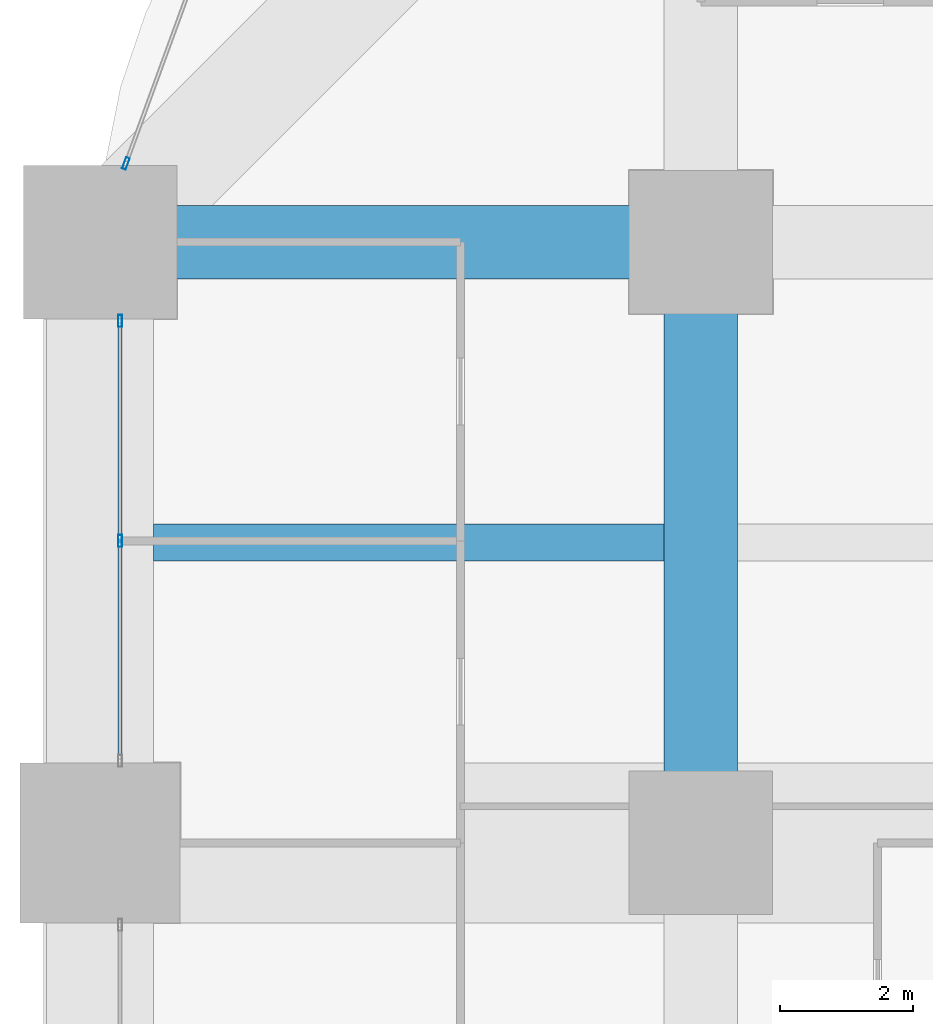
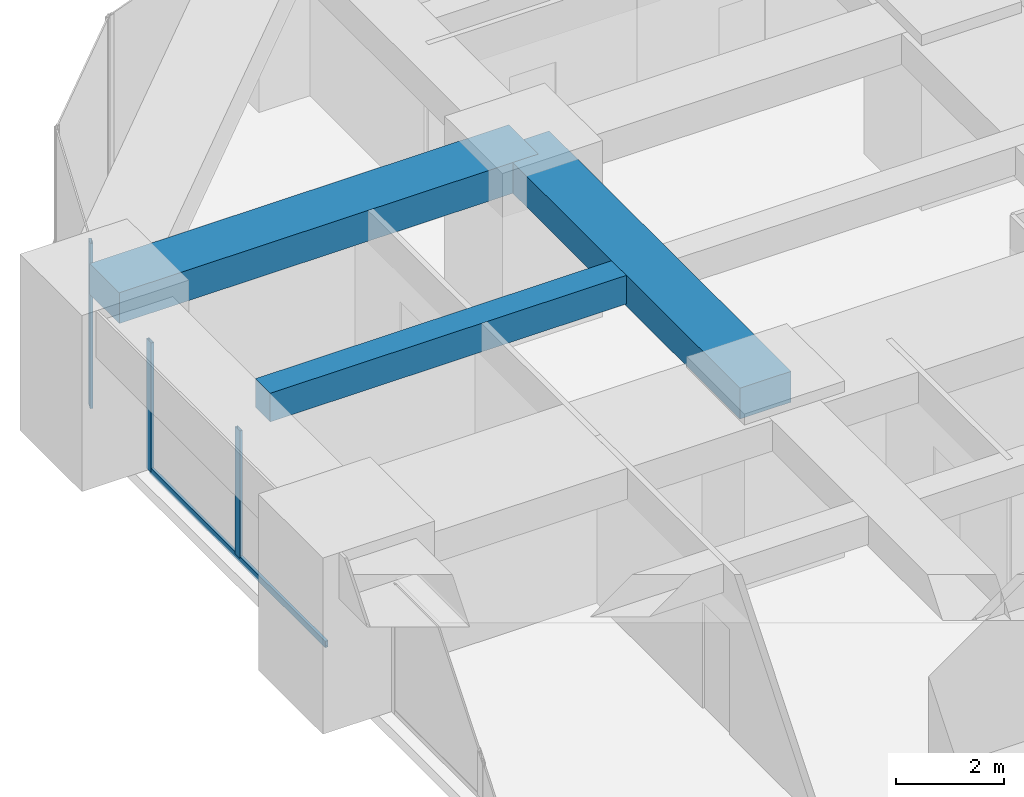
# One storey, part 25 of 45: 4 members, 3 beams, 2 elements without a shape of their own.
"""IFC4 building model written with IfcOpenShell, lengths in metres."""

from ifc_helpers import new_model, si_unit, direction, frame, origin, origin_2d, place, context, subcontext, project, spatial, rectangle, hollow_rectangle, extrude, material, material_profile, profile_set, type_object, element, aggregate, save


model = new_model("IFC4")

# Units and contexts
model_context = context("Model", 3, precision=1e-05, world=origin(), true_north=direction((0.0, 1.0)))
body_context = subcontext(model_context, "Body", "Model", "MODEL_VIEW")
ifc_project = project(units=[si_unit("LENGTHUNIT", "METRE"), si_unit("AREAUNIT", "SQUARE_METRE"), si_unit("VOLUMEUNIT", "CUBIC_METRE"), si_unit("PLANEANGLEUNIT", "RADIAN"), si_unit("MASSUNIT", "GRAM", prefix="KILO")], contexts=[model_context])

# Site, building, storey
site_placement = place(None, origin())
site = spatial("IfcSite", under=ifc_project, at=site_placement, CompositionType="ELEMENT")
building_placement = place(site_placement, origin())
building = spatial("IfcBuilding", under=site, at=building_placement, Name="Zorevar Civic Tower", CompositionType="ELEMENT")
storey_placement = place(building_placement, frame((0.0, 0.0, 71.800048828125)))
storey = spatial("IfcBuildingStorey", under=building, at=storey_placement, Name="L17", CompositionType="ELEMENT", Elevation=71.800048828125)

# Beams
ifc_material_1 = material(Name="Concrete C50/60", Category="concrete")
ifc_material_profile_1 = material_profile(ifc_material_1, rectangle(XDim=1.10009765625, YDim=0.699951171875, at=origin_2d()), Name="RC 1100x700")
ifc_profile_set_1 = profile_set([ifc_material_profile_1], Name="Concrete C50/60")
beam_type_1 = type_object("IfcBeamType", Name="Beam RC 1100x700", PredefinedType="BEAM", material=ifc_profile_set_1)
for number, where, z_axis, x_axis, name in (
    (1, (0.0, 45.0, 3.39990234375), (1.0, 0.0, 0.0), (0.0, 1.0, 0.0), "Girder L18"),
    (2, (9.0, 36.0, 3.39990234375), (0.0, 1.0, 0.0), (-1.0, 0.0, 0.0), "Girder L18"),
):
    element("IfcBeam", number, at=place(storey_placement, frame(where, z_axis=z_axis, x_axis=x_axis)), inside=storey, type_object=beam_type_1, Name=name, PredefinedType="BEAM", context=body_context, shape_type="SweptSolid", body=[
        extrude(rectangle(XDim=1.10009765625, YDim=0.699951171875, at=origin_2d()), origin(), (0.0, 0.0, 1.0), 9.0),
    ])
ifc_material_2 = material(Name="Concrete C50/60", Category="concrete")
ifc_material_profile_2 = material_profile(ifc_material_2, rectangle(XDim=0.550048828125, YDim=0.64990234375, at=origin_2d()), Name="RC 550x650")
ifc_profile_set_2 = profile_set([ifc_material_profile_2], Name="Concrete C50/60")
beam_type_2 = type_object("IfcBeamType", Name="Beam RC 550x650", PredefinedType="BEAM", material=ifc_profile_set_2)
beam_placement = place(storey_placement, frame((0.800048828125, 40.5, 3.425048828125), z_axis=(1.0, 0.0, 0.0), x_axis=(0.0, 1.0, 0.0)))
element("IfcBeam", 3, at=beam_placement, inside=storey, type_object=beam_type_2, Name="Secondary beam L18", PredefinedType="BEAM", context=body_context, shape_type="SweptSolid", body=[
    extrude(rectangle(XDim=0.550048828125, YDim=0.64990234375, at=origin_2d()), origin(), (0.0, 0.0, 1.0), 7.64990234375),
])

# Curtain wall, members
ifc_material_3 = material(Name="Dark grey solar-control glass in black aluminium frame", Category="aluminium")
curtain_wall_type = type_object("IfcCurtainWallType", Name="Curtain wall CW2 low zone", PredefinedType="NOTDEFINED", material=ifc_material_3)
curtain_wall_1_placement = place(storey_placement, origin())
curtain_wall_1 = element("IfcCurtainWall", 4, at=curtain_wall_1_placement, inside=storey, type_object=curtain_wall_type, Name="CW2 L17", PredefinedType="NOTDEFINED")
ifc_material_4 = material(Name="Aluminium, black anodised", Category="aluminium")
ifc_material_profile_3 = material_profile(ifc_material_4, hollow_rectangle(XDim=0.06005859375, YDim=0.179931640625, WallThickness=0.00390625, at=origin_2d()), Name="AL 180x60x4")
ifc_profile_set_3 = profile_set([ifc_material_profile_3], Name="Aluminium, black anodised")
member_type_1 = type_object("IfcMemberType", Name="CW2 mullion AL 180x60x4", PredefinedType="MULLION", material=ifc_profile_set_3)
member_1_placement = place(storey_placement, frame((0.300048828125, 40.52490234375, 0.06005859375), z_axis=(0.0, 0.0, 1.0), x_axis=(-1.0, 0.0, 0.0)))
member_1 = element("IfcMember", 5, at=member_1_placement, type_object=member_type_1, Name="CW2 mullion 2", PredefinedType="MULLION", context=body_context, shape_type="SweptSolid", body=[
    extrude(hollow_rectangle(XDim=0.06005859375, YDim=0.179931640625, WallThickness=0.00390625, at=origin_2d()), origin(), (0.0, 0.0, 1.0), 2.889892578125),
])
member_2_placement = place(storey_placement, frame((0.300048828125, 43.820068359375, 0.0), z_axis=(0.0, 0.0, 1.0), x_axis=(-1.0, 0.0, 0.0)))
member_2 = element("IfcMember", 6, at=member_2_placement, type_object=member_type_1, Name="CW2 mullion 3", PredefinedType="MULLION", context=body_context, shape_type="SweptSolid", body=[
    extrude(hollow_rectangle(XDim=0.06005859375, YDim=0.179931640625, WallThickness=0.00390625, at=origin_2d()), origin(), (0.0, 0.0, 1.0), 2.949951171875),
])

# Curtain wall, member
curtain_wall_2_placement = place(storey_placement, origin())
curtain_wall_2 = element("IfcCurtainWall", 7, at=curtain_wall_2_placement, inside=storey, type_object=curtain_wall_type, Name="CW2 L17", PredefinedType="NOTDEFINED")
member_3_placement = place(storey_placement, frame((0.38671875, 46.17822265625, 0.0), z_axis=(0.0, 0.0, 1.0), x_axis=(0.939313345732, -0.343060400701, 0.0)))
member_3 = element("IfcMember", 8, at=member_3_placement, type_object=member_type_1, Name="CW2 mullion 2", PredefinedType="MULLION", context=body_context, shape_type="SweptSolid", body=[
    extrude(hollow_rectangle(XDim=0.06005859375, YDim=0.179931640625, WallThickness=0.00390625, at=origin_2d()), origin(), (0.0, 0.0, 1.0), 3.75),
])
aggregate(curtain_wall_2, [member_3])

# Member
ifc_material_5 = material(Name="Aluminium, black anodised", Category="aluminium")
ifc_material_profile_4 = material_profile(ifc_material_5, hollow_rectangle(XDim=0.06005859375, YDim=0.14990234375, WallThickness=0.00390625, at=origin_2d()), Name="AL 150x60x4")
ifc_profile_set_4 = profile_set([ifc_material_profile_4], Name="Aluminium, black anodised")
member_type_2 = type_object("IfcMemberType", Name="CW2 transom AL 150x60x4", PredefinedType="USERDEFINED", material=ifc_profile_set_4)
member_4_placement = place(storey_placement, frame((0.300048828125, 37.260009765625, 0.030029296875), z_axis=(0.0, 1.0, 0.0), x_axis=(-1.0, 0.0, 0.0)))
member_4 = element("IfcMember", 9, at=member_4_placement, type_object=member_type_2, Name="CW2 sill transom", ObjectType="TRANSOM", PredefinedType="USERDEFINED", context=body_context, shape_type="SweptSolid", body=[
    extrude(hollow_rectangle(XDim=0.06005859375, YDim=0.14990234375, WallThickness=0.00390625, at=origin_2d()), origin(), (0.0, 0.0, 1.0), 6.530029296875),
])

aggregate(curtain_wall_1, [member_1, member_2, member_4])

save(model, "model.ifc")
